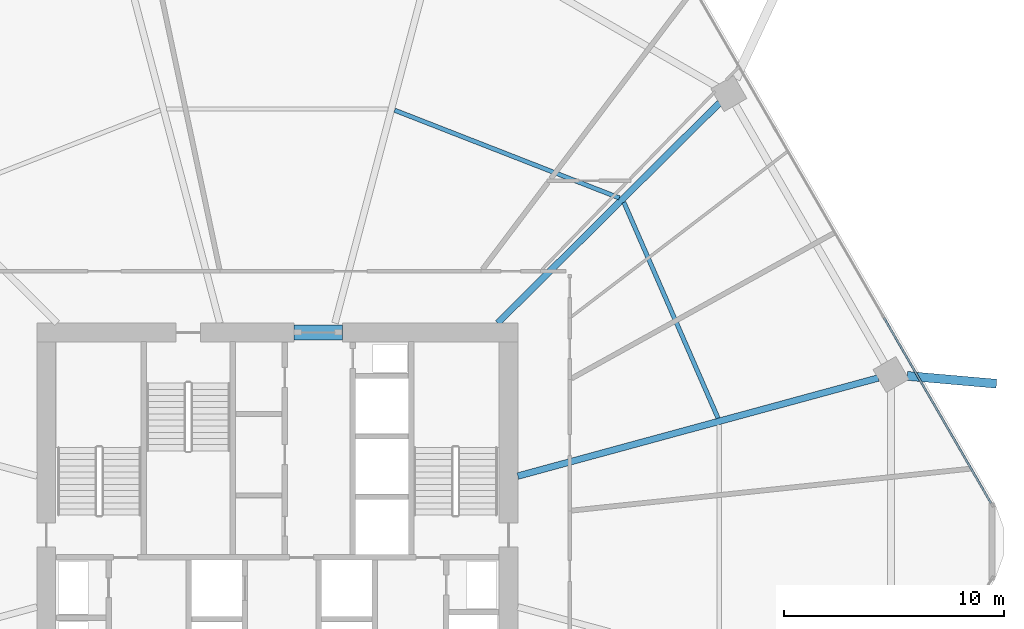
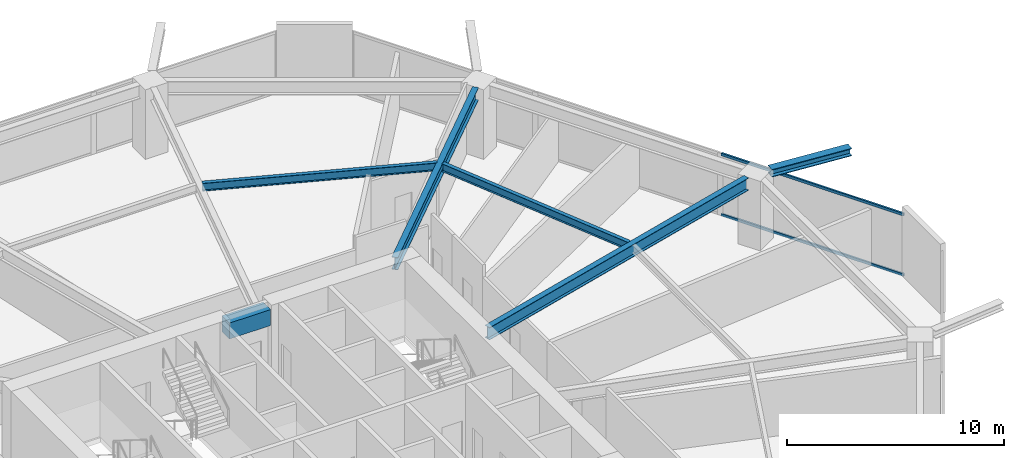
# One storey, part 16 of 25: 6 beams, 2 members, 1 element without a shape of its own.
"""IFC4 building model written with IfcOpenShell, lengths in metres."""

import ifcopenshell
import ifcopenshell.guid

model = None  # the IFC model being written
_history = None  # IfcOwnerHistory: only IFC2X3 demands one
_inside = {}  # id of a spatial element -> (the spatial element, [elements in it])
_under = {}  # id of a project, library or spatial element -> (it, [spatial elements below it])
_declared = {}  # id of a project -> (the project, [libraries it declares])
_typed = {}  # id of a type object -> (the type object, [elements of that type])
_made_of = {}  # id of a material, layer set ... -> (it, [elements and type objects made of it])


def new_model(schema):
    """Start an empty IFC model of exactly this schema.

    Asked for "IFC4X3", IfcOpenShell would pick the latest addendum, in which some entities
    have other attributes; the version numbers below select the first issue.
    IFC2X3 requires an IfcOwnerHistory on every rooted entity: one is made here for all.
    """
    global model, _history
    if schema == "IFC4X3":
        model = ifcopenshell.file(schema_version=(4, 3, 0, 0))
    else:
        model = ifcopenshell.file(schema=schema)
    _inside.clear()
    _under.clear()
    _declared.clear()
    _typed.clear()
    _made_of.clear()
    _history = None
    if model.schema == "IFC2X3":
        org = make("IfcOrganization", Name="unknown")
        user = make(
            "IfcPersonAndOrganization",
            ThePerson=make("IfcPerson", FamilyName="unknown"),
            TheOrganization=org,
        )
        app = make(
            "IfcApplication",
            ApplicationDeveloper=org,
            Version="unknown",
            ApplicationFullName="unknown",
            ApplicationIdentifier="unknown",
        )
        _history = make(
            "IfcOwnerHistory",
            OwningUser=user,
            OwningApplication=app,
            ChangeAction="ADDED",
            CreationDate=0,
        )
    return model


def make(cls, **values):
    """One entity of the class cls with the attributes given. An attribute that is None is left unset."""
    return model.create_entity(
        cls, **{name: value for name, value in values.items() if value is not None}
    )


def rooted(cls, **values):
    """An entity with a GlobalId (a new one), such as an element, a storey or a relation."""
    return make(cls, GlobalId=ifcopenshell.guid.new(), OwnerHistory=_history, **values)


def si_unit(unit_type, name, prefix=None):
    """IfcSIUnit, for example si_unit("LENGTHUNIT", "METRE", prefix="MILLI")."""
    return make("IfcSIUnit", UnitType=unit_type, Prefix=prefix, Name=name)


def assignment(units):
    """IfcUnitAssignment: the units of a project."""
    return None if units is None else make("IfcUnitAssignment", Units=units)


def point(xyz):
    """IfcCartesianPoint."""
    return None if xyz is None else make("IfcCartesianPoint", Coordinates=xyz)


def direction(xyz):
    """IfcDirection."""
    return None if xyz is None else make("IfcDirection", DirectionRatios=xyz)


def frame(location, z_axis=None, x_axis=None):
    """IfcAxis2Placement3D, a coordinate frame: its origin and axes. An axis left out is left unset."""
    return make(
        "IfcAxis2Placement3D",
        Location=point(location),
        Axis=direction(z_axis),
        RefDirection=direction(x_axis),
    )


def frame_2d(location, x_axis=None):
    """IfcAxis2Placement2D, a coordinate frame in the plane: its origin and x axis."""
    return make(
        "IfcAxis2Placement2D", Location=point(location), RefDirection=direction(x_axis)
    )


def origin():
    """The frame at (0, 0, 0) with its axes left unset."""
    return frame((0.0, 0.0, 0.0))


def origin_2d():
    """The frame at (0, 0) in the plane with its x axis left unset."""
    return frame_2d((0.0, 0.0))


def place(relative_to, where):
    """IfcLocalPlacement: puts the frame where relative to a parent placement (None: the world)."""
    return make(
        "IfcLocalPlacement", PlacementRelTo=relative_to, RelativePlacement=where
    )


def context(
    kind, dimensions, precision=None, world=None, true_north=None, identifier=None
):
    """IfcGeometricRepresentationContext, for example the 3D "Model" context."""
    return make(
        "IfcGeometricRepresentationContext",
        ContextIdentifier=identifier,
        ContextType=kind,
        CoordinateSpaceDimension=dimensions,
        Precision=precision,
        WorldCoordinateSystem=world,
        TrueNorth=true_north,
    )


def subcontext(parent, identifier, kind, view, scale=None):
    """IfcGeometricRepresentationSubContext, for example "Body" below "Model"."""
    return make(
        "IfcGeometricRepresentationSubContext",
        ContextIdentifier=identifier,
        ContextType=kind,
        ParentContext=parent,
        TargetScale=scale,
        TargetView=view,
    )


def project(units=None, contexts=None):
    """IfcProject with its units and contexts."""
    return rooted(
        "IfcProject",
        Name="project",
        RepresentationContexts=contexts,
        UnitsInContext=assignment(units),
    )


def spatial(cls, under=None, at=None, **own):
    """A site, building, storey or space (cls), placed at a placement, below another one or the project."""
    s = rooted(cls, ObjectPlacement=at, **own)
    if under is not None:
        _under.setdefault(under.id(), (under, []))[1].append(s)
    return s


def profile(cls, at=None, kind="AREA", **sizes):
    """A parametric profile (cls). Its sizes go by their IFC names, for example OverallWidth=200.0."""
    return make(cls, ProfileType=kind, Position=at, **sizes)


def rectangle(**sizes):
    """IfcRectangleProfileDef."""
    return profile("IfcRectangleProfileDef", **sizes)


def hollow_rectangle(**sizes):
    """IfcRectangleHollowProfileDef."""
    return profile("IfcRectangleHollowProfileDef", **sizes)


def i_section(**sizes):
    """IfcIShapeProfileDef."""
    return profile("IfcIShapeProfileDef", **sizes)


def extrude(swept, where, along, depth):
    """IfcExtrudedAreaSolid: the profile swept, set in the frame where, extruded along a direction by depth."""
    return make(
        "IfcExtrudedAreaSolid",
        SweptArea=swept,
        Position=where,
        ExtrudedDirection=direction(along),
        Depth=depth,
    )


def shape(context_of_items, identifier, shape_type, items):
    """IfcShapeRepresentation: the items that make up one representation, for example the "Body"."""
    return make(
        "IfcShapeRepresentation",
        ContextOfItems=context_of_items,
        RepresentationIdentifier=identifier,
        RepresentationType=shape_type,
        Items=items,
    )


def material(Name=None, Category=None):
    """IfcMaterial."""
    return make("IfcMaterial", Name=Name, Category=Category)


def material_profile(
    of_material, cross_section, Name=None, Category=None, Priority=None
):
    """IfcMaterialProfile: a cross section and its material."""
    return make(
        "IfcMaterialProfile",
        Name=Name,
        Material=of_material,
        Profile=cross_section,
        Priority=Priority,
        Category=Category,
    )


def profile_set(profiles, Name=None, composite=None):
    """IfcMaterialProfileSet."""
    return make(
        "IfcMaterialProfileSet",
        Name=Name,
        MaterialProfiles=profiles,
        CompositeProfile=composite,
    )


def made_of(thing, what):
    """Note that an element or type object is made of a material, layer set ...; save() writes the relation."""
    if what is not None:
        _made_of.setdefault(what.id(), (what, []))[1].append(thing)
    return thing


def type_object(cls, material=None, **own):
    """A type object (cls), such as IfcWallType, which elements share."""
    return made_of(rooted(cls, **own), material)


def element(
    cls,
    number,
    at=None,
    inside=None,
    cuts=None,
    type_object=None,
    material=None,
    context=None,
    identifier="Body",
    shape_type=None,
    held_by="IfcProductDefinitionShape",
    body=None,
    shapes=None,
    **own,
):
    """One element of the class cls, such as IfcWall. Its Tag is "e" and its number.

    at: its placement. inside: the storey or other place that contains it. cuts: it is an
    opening in that element (IfcRelVoidsElement). A single representation is given by context,
    identifier, shape_type and body (its items); several are given by shapes. held_by: the class
    of the entity that holds the representations. save() writes the other relations.
    """
    e = rooted(cls, Tag="e%d" % number, ObjectPlacement=at, **own)
    if body is not None:
        shapes = [shape(context, identifier, shape_type, body)]
    if shapes is not None:
        e.Representation = make(held_by, Representations=shapes)
    if inside is not None:
        _inside.setdefault(inside.id(), (inside, []))[1].append(e)
    if cuts is not None:
        rooted(
            "IfcRelVoidsElement", RelatingBuildingElement=cuts, RelatedOpeningElement=e
        )
    if type_object is not None:
        _typed.setdefault(type_object.id(), (type_object, []))[1].append(e)
    return made_of(e, material)


def aggregate(whole, parts):
    """IfcRelAggregates: a whole, such as a stair, and the parts it consists of."""
    return rooted("IfcRelAggregates", RelatingObject=whole, RelatedObjects=parts)


def save(model, path):
    """Write the relations noted so far, then the file.

    IfcRelAggregates (storeys below a building ...), IfcRelContainedInSpatialStructure (elements
    in a storey), IfcRelDefinesByType, IfcRelAssociatesMaterial and IfcRelDeclares: one each for
    every whole, place, type object, material and project.
    """
    for whole, parts in _under.values():
        aggregate(whole, parts)
    for where, things in _inside.values():
        rooted(
            "IfcRelContainedInSpatialStructure",
            RelatedElements=things,
            RelatingStructure=where,
        )
    for kind, things in _typed.values():
        rooted("IfcRelDefinesByType", RelatedObjects=things, RelatingType=kind)
    for what, things in _made_of.values():
        rooted("IfcRelAssociatesMaterial", RelatedObjects=things, RelatingMaterial=what)
    for by, libraries in _declared.values():
        rooted("IfcRelDeclares", RelatingContext=by, RelatedDefinitions=libraries)
    model.write(path)


model = new_model("IFC4")

# Units and contexts
model_context = context("Model", 3, precision=1e-05, world=origin(), true_north=direction((0.0, 1.0)))
body_context = subcontext(model_context, "Body", "Model", "MODEL_VIEW")
ifc_project = project(units=[si_unit("LENGTHUNIT", "METRE"), si_unit("AREAUNIT", "SQUARE_METRE"), si_unit("VOLUMEUNIT", "CUBIC_METRE"), si_unit("PLANEANGLEUNIT", "RADIAN"), si_unit("MASSUNIT", "GRAM", prefix="KILO")], contexts=[model_context])

# Site, building, storey
site_placement = place(None, origin())
site = spatial("IfcSite", under=ifc_project, at=site_placement, CompositionType="ELEMENT")
building_placement = place(site_placement, origin())
building = spatial("IfcBuilding", under=site, at=building_placement, Name="Zuhravey Tower", CompositionType="ELEMENT")
storey_placement = place(building_placement, frame((0.0, 0.0, 54.0)))
storey = spatial("IfcBuildingStorey", under=building, at=storey_placement, Name="L13", CompositionType="ELEMENT", Elevation=54.0)

# Beam
ifc_material_1 = material(Name="Concrete C60/75", Category="concrete")
ifc_material_profile_1 = material_profile(ifc_material_1, rectangle(XDim=0.699951171875, YDim=0.89990234375, at=origin_2d()), Name="RC-700x900")
ifc_profile_set_1 = profile_set([ifc_material_profile_1], Name="Concrete C60/75")
beam_type_1 = type_object("IfcBeamType", Name="Core Coupling Beam RC700x900", PredefinedType="LINTEL", material=ifc_profile_set_1)
beam_1_placement = place(storey_placement, frame((36.751953125, 41.5, 3.469970703125), z_axis=(1.0, 0.0, 0.0), x_axis=(0.0, 1.0, 0.0)))
element("IfcBeam", 1, at=beam_1_placement, inside=storey, type_object=beam_type_1, Name="L13 CB1 BM-L13-CB-N", PredefinedType="LINTEL", context=body_context, shape_type="SweptSolid", body=[
    extrude(rectangle(XDim=0.699951171875, YDim=0.89990234375, at=origin_2d()), origin(), (0.0, 0.0, 1.0), 2.196044921875),
])

# Curtain wall, members
ifc_material_2 = material(Name="Thermally broken anodised aluminium", Category="aluminium")
curtain_wall_type = type_object("IfcCurtainWallType", Name="School Low-E Unitised Curtain Wall CW1", PredefinedType="NOTDEFINED", material=ifc_material_2)
curtain_wall_placement = place(storey_placement, origin())
curtain_wall = element("IfcCurtainWall", 2, at=curtain_wall_placement, inside=storey, type_object=curtain_wall_type, Name="L13 CW1 CW-L13-F1-1", PredefinedType="NOTDEFINED")
ifc_material_3 = material(Name="Anodised aluminium", Category="aluminium")
ifc_material_profile_2 = material_profile(ifc_material_3, hollow_rectangle(XDim=0.090087890625, YDim=0.14990234375, WallThickness=0.0048828125, at=origin_2d()), Name="ALU-RHS-90x150x5")
ifc_profile_set_2 = profile_set([ifc_material_profile_2], Name="Anodised aluminium")
member_type = type_object("IfcMemberType", Name="Curtain-Wall Transom 90x150", PredefinedType="USERDEFINED", material=ifc_profile_set_2)
member_1_placement = place(storey_placement, frame((63.56787109375, 42.16796875, 0.044921875), z_axis=(0.500008393077, -0.866020557985, 0.0), x_axis=(0.866020557985, 0.500008393077, 0.0)))
member_1 = element("IfcMember", 3, at=member_1_placement, type_object=member_type, Name="CW1 transom 3.1", ObjectType="TRANSOM", PredefinedType="USERDEFINED", context=body_context, shape_type="SweptSolid", body=[
    extrude(hollow_rectangle(XDim=0.090087890625, YDim=0.14990234375, WallThickness=0.0048828125, at=origin_2d()), origin(), (0.0, 0.0, 1.0), 9.731201171875),
])
member_2_placement = place(storey_placement, frame((63.56787109375, 42.16796875, 3.447021484375), z_axis=(0.500008393077, -0.866020557985, 0.0), x_axis=(0.866020557985, 0.500008393077, 0.0)))
member_2 = element("IfcMember", 4, at=member_2_placement, type_object=member_type, Name="CW1 transom 3.2", ObjectType="TRANSOM", PredefinedType="USERDEFINED", context=body_context, shape_type="SweptSolid", body=[
    extrude(hollow_rectangle(XDim=0.090087890625, YDim=0.14990234375, WallThickness=0.0048828125, at=origin_2d()), origin(), (0.0, 0.0, 1.0), 9.731201171875),
])
aggregate(curtain_wall, [member_1, member_2])

# Beams
ifc_material_4 = material(Name="Steel SM460", Category="steel")
ifc_material_profile_3 = material_profile(ifc_material_4, i_section(OverallWidth=0.406982421875, OverallDepth=0.427978515625, WebThickness=0.02001953125, FlangeThickness=0.034912109375, at=origin_2d()), Name="H-428x407x20x35")
ifc_profile_set_3 = profile_set([ifc_material_profile_3], Name="Steel SM460")
beam_type_2 = type_object("IfcBeamType", Name="Exoskeleton Node Tie Beam H428x407", PredefinedType="BEAM", material=ifc_profile_set_3)
beam_2_placement = place(storey_placement, frame((64.622802734375, 39.52734375, 3.7060546875), z_axis=(0.99618094896, -0.087312753533, 0.0), x_axis=(0.087312753533, 0.99618094896, 0.0)))
element("IfcBeam", 5, at=beam_2_placement, inside=storey, type_object=beam_type_2, Name="L13 Exoskeleton Node Tie NT1-01", PredefinedType="BEAM", context=body_context, shape_type="SweptSolid", body=[
    extrude(i_section(OverallWidth=0.406982421875, OverallDepth=0.427978515625, WebThickness=0.02001953125, FlangeThickness=0.034912109375, at=origin_2d()), origin(), (0.0, 0.0, 1.0), 4.0712890625),
])
ifc_material_5 = material(Name="Steel SM355", Category="steel")
ifc_material_profile_4 = material_profile(ifc_material_5, i_section(OverallWidth=0.300048828125, OverallDepth=0.699951171875, WebThickness=0.012939453125, FlangeThickness=0.02392578125, at=origin_2d()), Name="H-700x300x13x24")
ifc_profile_set_4 = profile_set([ifc_material_profile_4], Name="Steel SM355")
beam_type_3 = type_object("IfcBeamType", Name="Radial Primary Girder H700x300", PredefinedType="BEAM", material=ifc_profile_set_4)
beam_3_placement = place(storey_placement, frame((46.927978515625, 34.974609375, 3.570068359375), z_axis=(0.964892480455, 0.26264520015, 0.0), x_axis=(-0.26264520015, 0.964892480455, 0.0)))
element("IfcBeam", 6, at=beam_3_placement, inside=storey, type_object=beam_type_3, Name="L13 RG1 BM-L13-RAD-01", PredefinedType="BEAM", context=body_context, shape_type="SweptSolid", body=[
    extrude(i_section(OverallWidth=0.300048828125, OverallDepth=0.699951171875, WebThickness=0.012939453125, FlangeThickness=0.02392578125, at=origin_2d()), origin(), (0.0, 0.0, 1.0), 16.975341796875),
])
beam_4_placement = place(storey_placement, frame((46.007080078125, 41.927978515625, 3.570068359375), z_axis=(0.709902823282, 0.704299639, 0.0), x_axis=(-0.704299639, 0.709902823282, 0.0)))
element("IfcBeam", 7, at=beam_4_placement, inside=storey, type_object=beam_type_3, Name="L13 RG1 BM-L13-RAD-02", PredefinedType="BEAM", context=body_context, shape_type="SweptSolid", body=[
    extrude(i_section(OverallWidth=0.300048828125, OverallDepth=0.699951171875, WebThickness=0.012939453125, FlangeThickness=0.02392578125, at=origin_2d()), origin(), (0.0, 0.0, 1.0), 14.204345703125),
])
ifc_material_profile_5 = material_profile(ifc_material_5, i_section(OverallWidth=0.199951171875, OverallDepth=0.449951171875, WebThickness=0.009033203125, FlangeThickness=0.013916015625, at=origin_2d()), Name="H-450x200x9x14")
ifc_profile_set_5 = profile_set([ifc_material_profile_5], Name="Steel SM355")
beam_type_4 = type_object("IfcBeamType", Name="Secondary Floor Joist H450x200", PredefinedType="JOIST", material=ifc_profile_set_5)
beam_5_placement = place(storey_placement, frame((56.025390625, 37.60888671875, 3.695068359375), z_axis=(-0.399923551578, 0.916548500022, 0.0), x_axis=(-0.916548500022, -0.399923551578, 0.0)))
element("IfcBeam", 8, at=beam_5_placement, inside=storey, type_object=beam_type_4, Name="L13 SJ1 BM-L13-SJ-01-1", PredefinedType="JOIST", context=body_context, shape_type="SweptSolid", body=[
    extrude(i_section(OverallWidth=0.199951171875, OverallDepth=0.449951171875, WebThickness=0.009033203125, FlangeThickness=0.013916015625, at=origin_2d()), origin(), (0.0, 0.0, 1.0), 10.70263671875),
])
beam_6_placement = place(storey_placement, frame((51.5400390625, 47.61572265625, 3.695068359375), z_axis=(-0.931516535886, 0.363698973562, 0.0), x_axis=(-0.363698973562, -0.931516535886, 0.0)))
element("IfcBeam", 9, at=beam_6_placement, inside=storey, type_object=beam_type_4, Name="L13 SJ1 BM-L13-SJ-02-1", PredefinedType="JOIST", context=body_context, shape_type="SweptSolid", body=[
    extrude(i_section(OverallWidth=0.199951171875, OverallDepth=0.449951171875, WebThickness=0.009033203125, FlangeThickness=0.013916015625, at=origin_2d()), origin(), (0.0, 0.0, 1.0), 10.963134765625),
])

save(model, "model.ifc")
